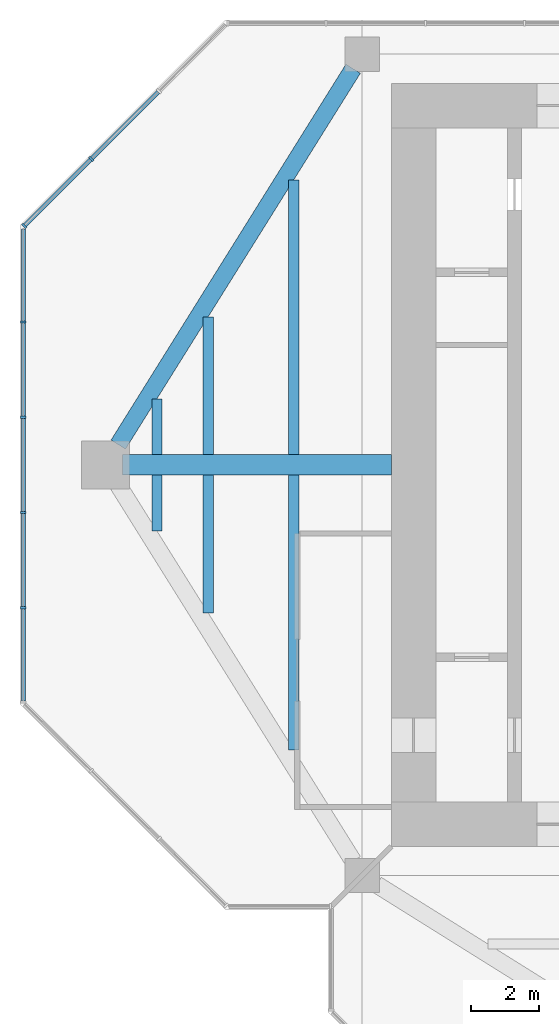
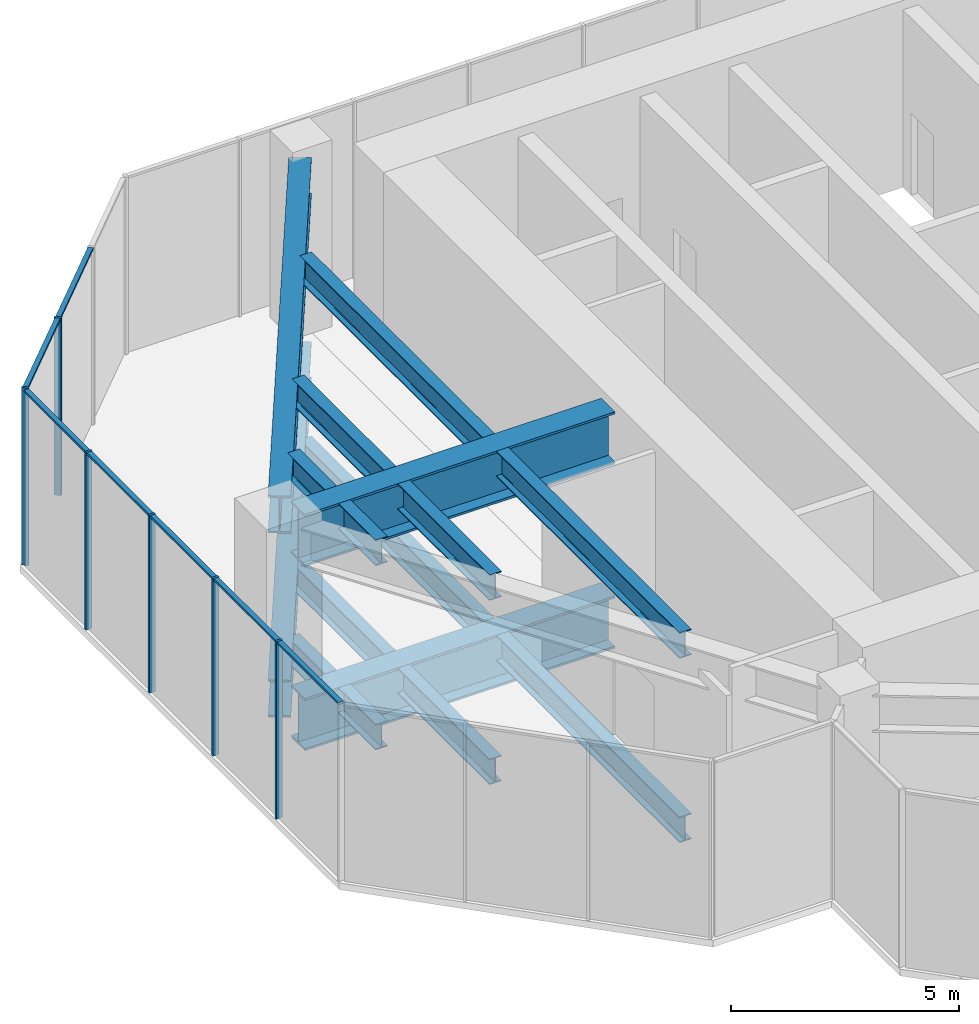
# One storey, part 4 of 10: 16 beams, 13 members, 2 elements without a shape of their own.
"""IFC4 building model written with IfcOpenShell, lengths in metres."""

from ifc_helpers import new_model, si_unit, direction, frame, origin, origin_2d, place, context, subcontext, project, spatial, rectangle, i_section, extrude, material, material_profile, profile_set, type_object, element, aggregate, save


model = new_model("IFC4")

# Units and contexts
model_context = context("Model", 3, precision=1e-05, world=origin(), true_north=direction((0.0, 1.0)))
body_context = subcontext(model_context, "Body", "Model", "MODEL_VIEW")
ifc_project = project(units=[si_unit("LENGTHUNIT", "METRE"), si_unit("AREAUNIT", "SQUARE_METRE"), si_unit("VOLUMEUNIT", "CUBIC_METRE"), si_unit("PLANEANGLEUNIT", "RADIAN"), si_unit("MASSUNIT", "GRAM", prefix="KILO")], contexts=[model_context])

# Site, building, storey
site_placement = place(None, origin())
site = spatial("IfcSite", under=ifc_project, at=site_placement, CompositionType="ELEMENT")
building_placement = place(site_placement, origin())
building = spatial("IfcBuilding", under=site, at=building_placement, Name="Mizan Broadcast Tower", CompositionType="ELEMENT")
storey_placement = place(building_placement, frame((0.0, 0.0, 311.300048828125)))
storey = spatial("IfcBuildingStorey", under=building, at=storey_placement, Name="L74", CompositionType="ELEMENT", Elevation=311.300048828125)

# Beams
ifc_material_1 = material(Name="Steel S460", Category="steel")
ifc_material_profile_1 = material_profile(ifc_material_1, i_section(OverallWidth=0.5, OverallDepth=1.0, WebThickness=0.02490234375, FlangeThickness=0.050048828125, at=origin_2d()), Name="WPG 1000x500")
ifc_profile_set_1 = profile_set([ifc_material_profile_1], Name="Steel S460")
beam_type_1 = type_object("IfcBeamType", Name="GIRDER WPG 1000x500", PredefinedType="BEAM", material=ifc_profile_set_1)
for number, where, z_axis, x_axis, name in (
    (1, (-12.264892578125, 11.575927734375, -0.679931640625), (-0.529998940003, -0.847998304005, 0.0), (0.847998304005, -0.529998940003, 0.0), "Girder WPG 1000x500 L74 west arm"),
    (2, (-12.264892578125, 11.575927734375, 4.25), (-0.529998940003, -0.847998304005, 0.0), (0.847998304005, -0.529998940003, 0.0), "Girder WPG 1000x500 L74 west arm"),
):
    element("IfcBeam", number, at=place(storey_placement, frame(where, z_axis=z_axis, x_axis=x_axis)), inside=storey, type_object=beam_type_1, Name=name, PredefinedType="BEAM", context=body_context, shape_type="SweptSolid", body=[
        extrude(i_section(OverallWidth=0.5, OverallDepth=1.0, WebThickness=0.02490234375, FlangeThickness=0.050048828125, at=origin_2d()), origin(), (0.0, 0.0, 1.0), 12.950927734375),
    ])
ifc_material_2 = material(Name="Steel S460", Category="steel")
ifc_material_profile_2 = material_profile(ifc_material_2, i_section(OverallWidth=0.60009765625, OverallDepth=1.39990234375, WebThickness=0.02490234375, FlangeThickness=0.06005859375, at=origin_2d()), Name="WPG 1400x600")
ifc_profile_set_2 = profile_set([ifc_material_profile_2], Name="Steel S460")
beam_type_2 = type_object("IfcBeamType", Name="GIRDER WPG 1400x600", PredefinedType="BEAM", material=ifc_profile_set_2)
for number, where, z_axis, x_axis, name in (
    (3, (-11.14990234375, 0.0, -0.880126953125), (-1.0, 0.0, 0.0), (0.0, -1.0, 0.0), "Girder WPG 1400x600 L74 west arm"),
    (4, (-11.14990234375, 0.0, 4.050048828125), (-1.0, 0.0, 0.0), (0.0, -1.0, 0.0), "Girder WPG 1400x600 L74 west arm"),
):
    element("IfcBeam", number, at=place(storey_placement, frame(where, z_axis=z_axis, x_axis=x_axis)), inside=storey, type_object=beam_type_2, Name=name, PredefinedType="BEAM", context=body_context, shape_type="SweptSolid", body=[
        extrude(i_section(OverallWidth=0.60009765625, OverallDepth=1.39990234375, WebThickness=0.02490234375, FlangeThickness=0.06005859375, at=origin_2d()), origin(), (0.0, 0.0, 1.0), 7.84912109375),
    ])

# Curtain wall, members
ifc_material_3 = material(Name="Aluminium framed glazing", Category="aluminium")
curtain_wall_type = type_object("IfcCurtainWallType", Name="LANTERN", PredefinedType="USERDEFINED", material=ifc_material_3)
curtain_wall_1_placement = place(storey_placement, origin())
curtain_wall_1 = element("IfcCurtainWall", 5, at=curtain_wall_1_placement, inside=storey, type_object=curtain_wall_type, Name="Lantern L74 W chamfer", ObjectType="LANTERN", PredefinedType="USERDEFINED")
ifc_material_4 = material(Name="Aluminium, pale anodised", Category="aluminium")
ifc_material_profile_3 = material_profile(ifc_material_4, rectangle(XDim=0.159912109375, YDim=0.06005859375, at=origin_2d()), Name="MULLION 160x60")
ifc_profile_set_3 = profile_set([ifc_material_profile_3], Name="Aluminium, pale anodised")
member_type_1 = type_object("IfcMemberType", Name="INNER SKIN MULLION 60x160", PredefinedType="MULLION", material=ifc_profile_set_3)
member_1_placement = place(storey_placement, frame((-19.91943359375, 8.93896484375, 0.0), z_axis=(0.0, 0.0, 1.0), x_axis=(0.707106781187, -0.707106781187, 0.0)))
member_1 = element("IfcMember", 6, at=member_1_placement, type_object=member_type_1, Name="Lantern L74 W chamfer mullion 3", PredefinedType="MULLION", context=body_context, shape_type="SweptSolid", body=[
    extrude(rectangle(XDim=0.159912109375, YDim=0.06005859375, at=origin_2d()), origin(), (0.0, 0.0, 1.0), 4.75),
])
member_2_placement = place(storey_placement, frame((-21.87890625, 6.979736328125, 0.0), z_axis=(0.0, 0.0, 1.0), x_axis=(0.707106781187, -0.707106781187, 0.0)))
member_2 = element("IfcMember", 7, at=member_2_placement, type_object=member_type_1, Name="Lantern L74 W chamfer mullion 4", PredefinedType="MULLION", context=body_context, shape_type="SweptSolid", body=[
    extrude(rectangle(XDim=0.159912109375, YDim=0.06005859375, at=origin_2d()), origin(), (0.0, 0.0, 1.0), 4.75),
])

curtain_wall_2_placement = place(storey_placement, origin())
curtain_wall_2 = element("IfcCurtainWall", 8, at=curtain_wall_2_placement, inside=storey, type_object=curtain_wall_type, Name="Lantern L74 W end", ObjectType="LANTERN", PredefinedType="USERDEFINED")
member_3_placement = place(storey_placement, frame((-21.89990234375, 4.175048828125, 0.0), z_axis=(0.0, 0.0, 1.0), x_axis=(1.0, 0.0, 0.0)))
member_3 = element("IfcMember", 9, at=member_3_placement, type_object=member_type_1, Name="Lantern L74 W end mullion 2", PredefinedType="MULLION", context=body_context, shape_type="SweptSolid", body=[
    extrude(rectangle(XDim=0.159912109375, YDim=0.06005859375, at=origin_2d()), origin(), (0.0, 0.0, 1.0), 4.75),
])
member_4_placement = place(storey_placement, frame((-21.89990234375, 1.3916015625, 0.0), z_axis=(0.0, 0.0, 1.0), x_axis=(1.0, 0.0, 0.0)))
member_4 = element("IfcMember", 10, at=member_4_placement, type_object=member_type_1, Name="Lantern L74 W end mullion 3", PredefinedType="MULLION", context=body_context, shape_type="SweptSolid", body=[
    extrude(rectangle(XDim=0.159912109375, YDim=0.06005859375, at=origin_2d()), origin(), (0.0, 0.0, 1.0), 4.75),
])
member_5_placement = place(storey_placement, frame((-21.89990234375, -1.3916015625, 0.0), z_axis=(0.0, 0.0, 1.0), x_axis=(1.0, 0.0, 0.0)))
member_5 = element("IfcMember", 11, at=member_5_placement, type_object=member_type_1, Name="Lantern L74 W end mullion 4", PredefinedType="MULLION", context=body_context, shape_type="SweptSolid", body=[
    extrude(rectangle(XDim=0.159912109375, YDim=0.06005859375, at=origin_2d()), origin(), (0.0, 0.0, 1.0), 4.75),
])
member_6_placement = place(storey_placement, frame((-21.89990234375, -4.175048828125, 0.0), z_axis=(0.0, 0.0, 1.0), x_axis=(1.0, 0.0, 0.0)))
member_6 = element("IfcMember", 12, at=member_6_placement, type_object=member_type_1, Name="Lantern L74 W end mullion 5", PredefinedType="MULLION", context=body_context, shape_type="SweptSolid", body=[
    extrude(rectangle(XDim=0.159912109375, YDim=0.06005859375, at=origin_2d()), origin(), (0.0, 0.0, 1.0), 4.75),
])

# Member
ifc_material_5 = material(Name="Aluminium, pale anodised", Category="aluminium")
ifc_material_profile_4 = material_profile(ifc_material_5, rectangle(XDim=0.1201171875, YDim=0.06005859375, at=origin_2d()), Name="TRANSOM 120x60")
ifc_profile_set_4 = profile_set([ifc_material_profile_4], Name="Aluminium, pale anodised")
member_type_2 = type_object("IfcMemberType", Name="INNER SKIN TRANSOM 60x120", PredefinedType="USERDEFINED", material=ifc_profile_set_4)
member_7_placement = place(storey_placement, frame((-17.960205078125, 10.898193359375, 4.719970703125), z_axis=(-0.707106781187, -0.707106781187, 0.0), x_axis=(0.707106781187, -0.707106781187, 0.0)))
member_7 = element("IfcMember", 13, at=member_7_placement, type_object=member_type_2, Name="Lantern L74 W chamfer transom 2.1", ObjectType="TRANSOM", PredefinedType="USERDEFINED", context=body_context, shape_type="SweptSolid", body=[
    extrude(rectangle(XDim=0.1201171875, YDim=0.06005859375, at=origin_2d()), origin(), (0.0, 0.0, 1.0), 2.74072265625),
])

member_8_placement = place(storey_placement, frame((-19.940673828125, 8.917724609375, 4.719970703125), z_axis=(-0.707151809797, -0.707061749709, 0.0), x_axis=(0.707061749709, -0.707151809797, 0.0)))
member_8 = element("IfcMember", 14, at=member_8_placement, type_object=member_type_2, Name="Lantern L74 W chamfer transom 3.1", ObjectType="TRANSOM", PredefinedType="USERDEFINED", context=body_context, shape_type="SweptSolid", body=[
    extrude(rectangle(XDim=0.1201171875, YDim=0.06005859375, at=origin_2d()), origin(), (0.0, 0.0, 1.0), 2.7109375),
])

aggregate(curtain_wall_1, [member_1, member_2, member_7, member_8])

member_9_placement = place(storey_placement, frame((-21.89990234375, 6.898681640625, 4.719970703125), z_axis=(0.0, -1.0, 0.0), x_axis=(1.0, 0.0, 0.0)))
member_9 = element("IfcMember", 15, at=member_9_placement, type_object=member_type_2, Name="Lantern L74 W end transom 1.1", ObjectType="TRANSOM", PredefinedType="USERDEFINED", context=body_context, shape_type="SweptSolid", body=[
    extrude(rectangle(XDim=0.1201171875, YDim=0.06005859375, at=origin_2d()), origin(), (0.0, 0.0, 1.0), 2.693603515625),
])

member_10_placement = place(storey_placement, frame((-21.89990234375, 4.145263671875, 4.719970703125), z_axis=(0.0, -1.0, 0.0), x_axis=(1.0, 0.0, 0.0)))
member_10 = element("IfcMember", 16, at=member_10_placement, type_object=member_type_2, Name="Lantern L74 W end transom 2.1", ObjectType="TRANSOM", PredefinedType="USERDEFINED", context=body_context, shape_type="SweptSolid", body=[
    extrude(rectangle(XDim=0.1201171875, YDim=0.06005859375, at=origin_2d()), origin(), (0.0, 0.0, 1.0), 2.7236328125),
])

member_11_placement = place(storey_placement, frame((-21.89990234375, 1.36181640625, 4.719970703125), z_axis=(0.0, -1.0, 0.0), x_axis=(1.0, 0.0, 0.0)))
member_11 = element("IfcMember", 17, at=member_11_placement, type_object=member_type_2, Name="Lantern L74 W end transom 3.1", ObjectType="TRANSOM", PredefinedType="USERDEFINED", context=body_context, shape_type="SweptSolid", body=[
    extrude(rectangle(XDim=0.1201171875, YDim=0.06005859375, at=origin_2d()), origin(), (0.0, 0.0, 1.0), 2.7236328125),
])

member_12_placement = place(storey_placement, frame((-21.89990234375, -1.421630859375, 4.719970703125), z_axis=(0.0, -1.0, 0.0), x_axis=(1.0, 0.0, 0.0)))
member_12 = element("IfcMember", 18, at=member_12_placement, type_object=member_type_2, Name="Lantern L74 W end transom 4.1", ObjectType="TRANSOM", PredefinedType="USERDEFINED", context=body_context, shape_type="SweptSolid", body=[
    extrude(rectangle(XDim=0.1201171875, YDim=0.06005859375, at=origin_2d()), origin(), (0.0, 0.0, 1.0), 2.7236328125),
])

member_13_placement = place(storey_placement, frame((-21.89990234375, -4.205078125, 4.719970703125), z_axis=(0.0, -1.0, 0.0), x_axis=(1.0, 0.0, 0.0)))
member_13 = element("IfcMember", 19, at=member_13_placement, type_object=member_type_2, Name="Lantern L74 W end transom 5.1", ObjectType="TRANSOM", PredefinedType="USERDEFINED", context=body_context, shape_type="SweptSolid", body=[
    extrude(rectangle(XDim=0.1201171875, YDim=0.06005859375, at=origin_2d()), origin(), (0.0, 0.0, 1.0), 2.693603515625),
])

aggregate(curtain_wall_2, [member_3, member_4, member_5, member_6, member_9, member_10, member_11, member_12, member_13])

# Beams
ifc_material_6 = material(Name="Steel S355", Category="steel")
ifc_material_profile_5 = material_profile(ifc_material_6, i_section(OverallWidth=0.300048828125, OverallDepth=0.68994140625, WebThickness=0.014404296875, FlangeThickness=0.027099609375, FilletRadius=0.027099609375, at=origin_2d()), Name="HEA 700")
ifc_profile_set_5 = profile_set([ifc_material_profile_5], Name="Steel S355")
beam_type_3 = type_object("IfcBeamType", Name="SECONDARY BEAM HEA 700", PredefinedType="JOIST", material=ifc_profile_set_5)
beam_1_placement = place(storey_placement, frame((-14.0, 8.328369140625, -0.525146484375), z_axis=(0.0, -1.0, 0.0), x_axis=(1.0, 0.0, 0.0)))
element("IfcBeam", 20, at=beam_1_placement, inside=storey, type_object=beam_type_3, Name="Secondary beam HEA 700 L74 west arm", PredefinedType="JOIST", context=body_context, shape_type="SweptSolid", body=[
    extrude(i_section(OverallWidth=0.300048828125, OverallDepth=0.68994140625, WebThickness=0.014404296875, FlangeThickness=0.027099609375, FilletRadius=0.027099609375, at=origin_2d()), origin(), (0.0, 0.0, 1.0), 8.0283203125),
])
beam_2_placement = place(storey_placement, frame((-16.5, 4.328369140625, -0.525146484375), z_axis=(0.0, -1.0, 0.0), x_axis=(1.0, 0.0, 0.0)))
element("IfcBeam", 21, at=beam_2_placement, inside=storey, type_object=beam_type_3, Name="Secondary beam HEA 700 L74 west arm", PredefinedType="JOIST", context=body_context, shape_type="SweptSolid", body=[
    extrude(i_section(OverallWidth=0.300048828125, OverallDepth=0.68994140625, WebThickness=0.014404296875, FlangeThickness=0.027099609375, FilletRadius=0.027099609375, at=origin_2d()), origin(), (0.0, 0.0, 1.0), 4.0283203125),
])
beam_3_placement = place(storey_placement, frame((-18.0, 1.92822265625, -0.525146484375), z_axis=(0.0, -1.0, 0.0), x_axis=(1.0, 0.0, 0.0)))
element("IfcBeam", 22, at=beam_3_placement, inside=storey, type_object=beam_type_3, Name="Secondary beam HEA 700 L74 west arm", PredefinedType="JOIST", context=body_context, shape_type="SweptSolid", body=[
    extrude(i_section(OverallWidth=0.300048828125, OverallDepth=0.68994140625, WebThickness=0.014404296875, FlangeThickness=0.027099609375, FilletRadius=0.027099609375, at=origin_2d()), origin(), (0.0, 0.0, 1.0), 1.628173828125),
])
beam_4_placement = place(storey_placement, frame((-14.0, -8.328369140625, -0.525146484375), z_axis=(0.0, 1.0, 0.0), x_axis=(-1.0, 0.0, 0.0)))
element("IfcBeam", 23, at=beam_4_placement, inside=storey, type_object=beam_type_3, Name="Secondary beam HEA 700 L74 west arm", PredefinedType="JOIST", context=body_context, shape_type="SweptSolid", body=[
    extrude(i_section(OverallWidth=0.300048828125, OverallDepth=0.68994140625, WebThickness=0.014404296875, FlangeThickness=0.027099609375, FilletRadius=0.027099609375, at=origin_2d()), origin(), (0.0, 0.0, 1.0), 8.0283203125),
])
beam_5_placement = place(storey_placement, frame((-16.5, -4.328369140625, -0.525146484375), z_axis=(0.0, 1.0, 0.0), x_axis=(-1.0, 0.0, 0.0)))
element("IfcBeam", 24, at=beam_5_placement, inside=storey, type_object=beam_type_3, Name="Secondary beam HEA 700 L74 west arm", PredefinedType="JOIST", context=body_context, shape_type="SweptSolid", body=[
    extrude(i_section(OverallWidth=0.300048828125, OverallDepth=0.68994140625, WebThickness=0.014404296875, FlangeThickness=0.027099609375, FilletRadius=0.027099609375, at=origin_2d()), origin(), (0.0, 0.0, 1.0), 4.0283203125),
])
beam_6_placement = place(storey_placement, frame((-18.0, -1.92822265625, -0.525146484375), z_axis=(0.0, 1.0, 0.0), x_axis=(-1.0, 0.0, 0.0)))
element("IfcBeam", 25, at=beam_6_placement, inside=storey, type_object=beam_type_3, Name="Secondary beam HEA 700 L74 west arm", PredefinedType="JOIST", context=body_context, shape_type="SweptSolid", body=[
    extrude(i_section(OverallWidth=0.300048828125, OverallDepth=0.68994140625, WebThickness=0.014404296875, FlangeThickness=0.027099609375, FilletRadius=0.027099609375, at=origin_2d()), origin(), (0.0, 0.0, 1.0), 1.628173828125),
])
beam_7_placement = place(storey_placement, frame((-14.0, 8.328369140625, 4.405029296875), z_axis=(0.0, -1.0, 0.0), x_axis=(1.0, 0.0, 0.0)))
element("IfcBeam", 26, at=beam_7_placement, inside=storey, type_object=beam_type_3, Name="Secondary beam HEA 700 L74 west arm", PredefinedType="JOIST", context=body_context, shape_type="SweptSolid", body=[
    extrude(i_section(OverallWidth=0.300048828125, OverallDepth=0.68994140625, WebThickness=0.014404296875, FlangeThickness=0.027099609375, FilletRadius=0.027099609375, at=origin_2d()), origin(), (0.0, 0.0, 1.0), 8.0283203125),
])
beam_8_placement = place(storey_placement, frame((-16.5, 4.328369140625, 4.405029296875), z_axis=(0.0, -1.0, 0.0), x_axis=(1.0, 0.0, 0.0)))
element("IfcBeam", 27, at=beam_8_placement, inside=storey, type_object=beam_type_3, Name="Secondary beam HEA 700 L74 west arm", PredefinedType="JOIST", context=body_context, shape_type="SweptSolid", body=[
    extrude(i_section(OverallWidth=0.300048828125, OverallDepth=0.68994140625, WebThickness=0.014404296875, FlangeThickness=0.027099609375, FilletRadius=0.027099609375, at=origin_2d()), origin(), (0.0, 0.0, 1.0), 4.0283203125),
])
beam_9_placement = place(storey_placement, frame((-18.0, 1.92822265625, 4.405029296875), z_axis=(0.0, -1.0, 0.0), x_axis=(1.0, 0.0, 0.0)))
element("IfcBeam", 28, at=beam_9_placement, inside=storey, type_object=beam_type_3, Name="Secondary beam HEA 700 L74 west arm", PredefinedType="JOIST", context=body_context, shape_type="SweptSolid", body=[
    extrude(i_section(OverallWidth=0.300048828125, OverallDepth=0.68994140625, WebThickness=0.014404296875, FlangeThickness=0.027099609375, FilletRadius=0.027099609375, at=origin_2d()), origin(), (0.0, 0.0, 1.0), 1.628173828125),
])
beam_10_placement = place(storey_placement, frame((-14.0, -8.328369140625, 4.405029296875), z_axis=(0.0, 1.0, 0.0), x_axis=(-1.0, 0.0, 0.0)))
element("IfcBeam", 29, at=beam_10_placement, inside=storey, type_object=beam_type_3, Name="Secondary beam HEA 700 L74 west arm", PredefinedType="JOIST", context=body_context, shape_type="SweptSolid", body=[
    extrude(i_section(OverallWidth=0.300048828125, OverallDepth=0.68994140625, WebThickness=0.014404296875, FlangeThickness=0.027099609375, FilletRadius=0.027099609375, at=origin_2d()), origin(), (0.0, 0.0, 1.0), 8.0283203125),
])
beam_11_placement = place(storey_placement, frame((-16.5, -4.328369140625, 4.405029296875), z_axis=(0.0, 1.0, 0.0), x_axis=(-1.0, 0.0, 0.0)))
element("IfcBeam", 30, at=beam_11_placement, inside=storey, type_object=beam_type_3, Name="Secondary beam HEA 700 L74 west arm", PredefinedType="JOIST", context=body_context, shape_type="SweptSolid", body=[
    extrude(i_section(OverallWidth=0.300048828125, OverallDepth=0.68994140625, WebThickness=0.014404296875, FlangeThickness=0.027099609375, FilletRadius=0.027099609375, at=origin_2d()), origin(), (0.0, 0.0, 1.0), 4.0283203125),
])
beam_12_placement = place(storey_placement, frame((-18.0, -1.92822265625, 4.405029296875), z_axis=(0.0, 1.0, 0.0), x_axis=(-1.0, 0.0, 0.0)))
element("IfcBeam", 31, at=beam_12_placement, inside=storey, type_object=beam_type_3, Name="Secondary beam HEA 700 L74 west arm", PredefinedType="JOIST", context=body_context, shape_type="SweptSolid", body=[
    extrude(i_section(OverallWidth=0.300048828125, OverallDepth=0.68994140625, WebThickness=0.014404296875, FlangeThickness=0.027099609375, FilletRadius=0.027099609375, at=origin_2d()), origin(), (0.0, 0.0, 1.0), 1.628173828125),
])

save(model, "model.ifc")
